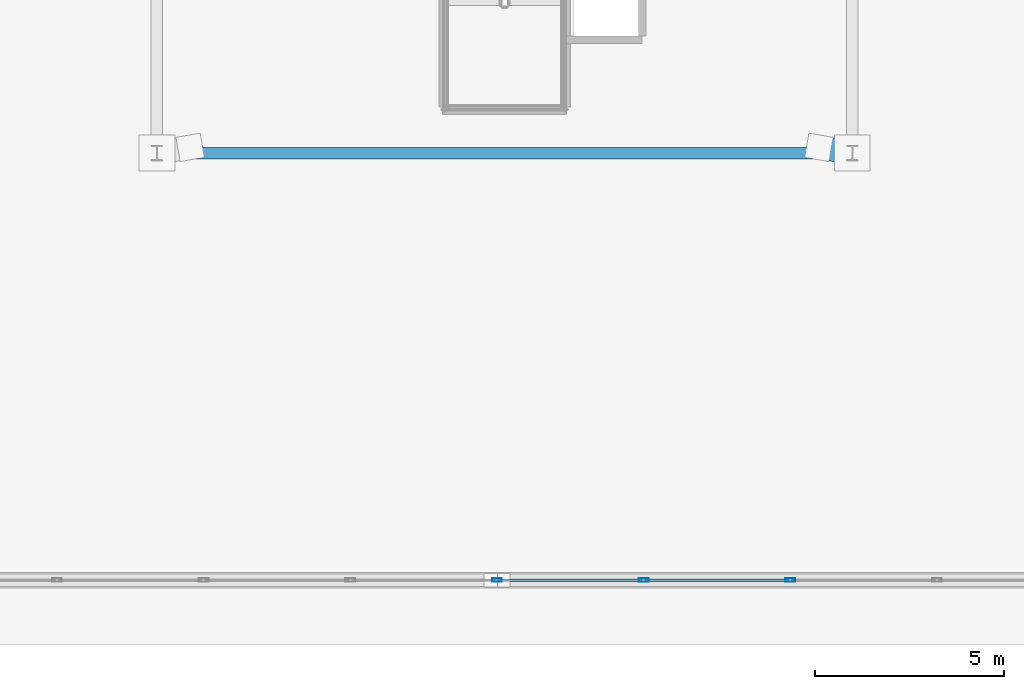
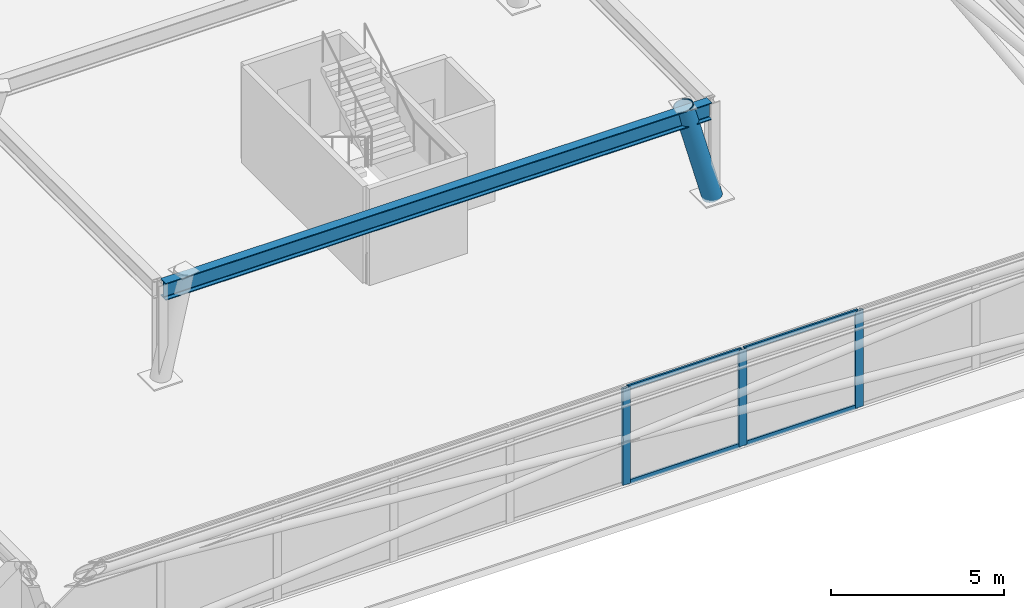
# One storey, part 8 of 23: 8 members, 1 beam, 1 element without a shape of its own.
"""IFC4 building model written with IfcOpenShell, lengths in metres."""

from ifc_helpers import new_model, si_unit, direction, frame, origin, origin_2d, place, context, subcontext, project, spatial, hollow_rectangle, hollow_circle, i_section, extrude, material, layer, layer_set, material_profile, profile_set, type_object, element, aggregate, save


model = new_model("IFC4")

# Units and contexts
model_context = context("Model", 3, precision=1e-05, world=origin(), true_north=direction((0.0, 1.0)))
body_context = subcontext(model_context, "Body", "Model", "MODEL_VIEW")
ifc_project = project(units=[si_unit("LENGTHUNIT", "METRE"), si_unit("AREAUNIT", "SQUARE_METRE"), si_unit("VOLUMEUNIT", "CUBIC_METRE"), si_unit("PLANEANGLEUNIT", "RADIAN"), si_unit("MASSUNIT", "GRAM", prefix="KILO")], contexts=[model_context])

# Site, building, storey
site_placement = place(None, origin())
site = spatial("IfcSite", under=ifc_project, at=site_placement, CompositionType="ELEMENT")
building_placement = place(site_placement, origin())
building = spatial("IfcBuilding", under=site, at=building_placement, Name="Qobustan Lattice House", CompositionType="ELEMENT")
storey_placement = place(building_placement, frame((0.0, 0.0, 270.199951171875)))
storey = spatial("IfcBuildingStorey", under=building, at=storey_placement, Name="L76", CompositionType="ELEMENT", Elevation=270.199951171875)

# Beam
ifc_material_1 = material(Name="Steel S355", Category="steel")
ifc_material_profile_1 = material_profile(ifc_material_1, i_section(OverallWidth=0.300048828125, OverallDepth=0.60009765625, WebThickness=0.015380859375, FlangeThickness=0.030029296875, FilletRadius=0.027099609375, at=origin_2d()), Name="HEB600")
ifc_profile_set_1 = profile_set([ifc_material_profile_1], Name="Steel S355")
beam_type = type_object("IfcBeamType", Name="BM-POD-HEB600", PredefinedType="USERDEFINED", material=ifc_profile_set_1)
beam_placement = place(storey_placement, frame((-9.10009765625, -5.60009765625, 3.10009765625), z_axis=(1.0, 0.0, 0.0), x_axis=(0.0, 1.0, 0.0)))
element("IfcBeam", 1, at=beam_placement, inside=storey, type_object=beam_type, Name="L76 crown support ring girder 1", ObjectType="GIRDER", PredefinedType="USERDEFINED", context=body_context, shape_type="SweptSolid", body=[
    extrude(i_section(OverallWidth=0.300048828125, OverallDepth=0.60009765625, WebThickness=0.015380859375, FlangeThickness=0.030029296875, FilletRadius=0.027099609375, at=origin_2d()), origin(), (0.0, 0.0, 1.0), 18.2001953125),
])

# Curtain wall, members
ifc_material_2 = material(Name="Anodised aluminium and low-E glazing", Category="aluminium")
ifc_layer = layer(ifc_material_2, 0.219970703125)
ifc_layer_set = layer_set([ifc_layer], Name="Anodised aluminium and low-E glazing")
curtain_wall_type = type_object("IfcCurtainWallType", Name="CW-CRN-01", PredefinedType="USERDEFINED", material=ifc_layer_set)
curtain_wall_placement = place(storey_placement, origin())
curtain_wall = element("IfcCurtainWall", 2, at=curtain_wall_placement, inside=storey, type_object=curtain_wall_type, Name="L76 glass-point crown faceted curtain wall 20", ObjectType="CURTAIN WALL", PredefinedType="USERDEFINED")
ifc_material_3 = material(Name="Anodised aluminium EN AW-6063 T6", Category="aluminium")
ifc_material_profile_2 = material_profile(ifc_material_3, hollow_rectangle(XDim=0.090087890625, YDim=0.260009765625, WallThickness=0.006103515625, at=origin_2d()), Name="CWM-CROWN-260x90")
ifc_profile_set_2 = profile_set([ifc_material_profile_2], Name="Anodised aluminium EN AW-6063 T6")
member_type_1 = type_object("IfcMemberType", Name="CWM-CRN-260", PredefinedType="MULLION", material=ifc_profile_set_2)
member_1_placement = place(storey_placement, frame((7.56005859375, -16.89990234375, 0.0), z_axis=(0.0, 0.0, 1.0), x_axis=(0.0, -1.0, 0.0)))
member_1 = element("IfcMember", 3, at=member_1_placement, type_object=member_type_1, Name="CW-CR mullion 4", PredefinedType="MULLION", context=body_context, shape_type="SweptSolid", body=[
    extrude(hollow_rectangle(XDim=0.090087890625, YDim=0.260009765625, WallThickness=0.006103515625, at=origin_2d()), origin(), (0.0, 0.0, 1.0), 3.400146484375),
])
member_2_placement = place(storey_placement, frame((3.679931640625, -16.89990234375, 0.0), z_axis=(0.0, 0.0, 1.0), x_axis=(0.0, -1.0, 0.0)))
member_2 = element("IfcMember", 4, at=member_2_placement, type_object=member_type_1, Name="CW-CR mullion 5", PredefinedType="MULLION", context=body_context, shape_type="SweptSolid", body=[
    extrude(hollow_rectangle(XDim=0.090087890625, YDim=0.260009765625, WallThickness=0.006103515625, at=origin_2d()), origin(), (0.0, 0.0, 1.0), 3.400146484375),
])
member_3_placement = place(storey_placement, frame((-0.199951171875, -16.89990234375, 0.0), z_axis=(0.0, 0.0, 1.0), x_axis=(0.0, -1.0, 0.0)))
member_3 = element("IfcMember", 5, at=member_3_placement, type_object=member_type_1, Name="CW-CR mullion 6", PredefinedType="MULLION", context=body_context, shape_type="SweptSolid", body=[
    extrude(hollow_rectangle(XDim=0.090087890625, YDim=0.260009765625, WallThickness=0.006103515625, at=origin_2d()), origin(), (0.0, 0.0, 1.0), 3.400146484375),
])
ifc_material_4 = material(Name="Anodised aluminium EN AW-6063 T6", Category="aluminium")
ifc_material_profile_3 = material_profile(ifc_material_4, hollow_rectangle(XDim=0.06494140625, YDim=0.159912109375, WallThickness=0.00390625, at=origin_2d()), Name="CWT-160x65")
ifc_profile_set_3 = profile_set([ifc_material_profile_3], Name="Anodised aluminium EN AW-6063 T6")
member_type_2 = type_object("IfcMemberType", Name="CWT-HOR-160", PredefinedType="USERDEFINED", material=ifc_profile_set_3)
member_4_placement = place(storey_placement, frame((7.514892578125, -16.89990234375, 0.032470703125), z_axis=(-1.0, 0.0, 0.0), x_axis=(0.0, -1.0, 0.0)))
member_4 = element("IfcMember", 6, at=member_4_placement, type_object=member_type_2, Name="CW-CR transom 4.1", ObjectType="TRANSOM", PredefinedType="USERDEFINED", context=body_context, shape_type="SweptSolid", body=[
    extrude(hollow_rectangle(XDim=0.06494140625, YDim=0.159912109375, WallThickness=0.00390625, at=origin_2d()), origin(), (0.0, 0.0, 1.0), 3.789794921875),
])
member_5_placement = place(storey_placement, frame((7.514892578125, -16.89990234375, 3.367431640625), z_axis=(-1.0, 0.0, 0.0), x_axis=(0.0, -1.0, 0.0)))
member_5 = element("IfcMember", 7, at=member_5_placement, type_object=member_type_2, Name="CW-CR transom 4.2", ObjectType="TRANSOM", PredefinedType="USERDEFINED", context=body_context, shape_type="SweptSolid", body=[
    extrude(hollow_rectangle(XDim=0.06494140625, YDim=0.159912109375, WallThickness=0.00390625, at=origin_2d()), origin(), (0.0, 0.0, 1.0), 3.789794921875),
])
member_6_placement = place(storey_placement, frame((3.635009765625, -16.89990234375, 0.032470703125), z_axis=(-1.0, 0.0, 0.0), x_axis=(0.0, -1.0, 0.0)))
member_6 = element("IfcMember", 8, at=member_6_placement, type_object=member_type_2, Name="CW-CR transom 5.1", ObjectType="TRANSOM", PredefinedType="USERDEFINED", context=body_context, shape_type="SweptSolid", body=[
    extrude(hollow_rectangle(XDim=0.06494140625, YDim=0.159912109375, WallThickness=0.00390625, at=origin_2d()), origin(), (0.0, 0.0, 1.0), 3.7900390625),
])
member_7_placement = place(storey_placement, frame((3.635009765625, -16.89990234375, 3.367431640625), z_axis=(-1.0, 0.0, 0.0), x_axis=(0.0, -1.0, 0.0)))
member_7 = element("IfcMember", 9, at=member_7_placement, type_object=member_type_2, Name="CW-CR transom 5.2", ObjectType="TRANSOM", PredefinedType="USERDEFINED", context=body_context, shape_type="SweptSolid", body=[
    extrude(hollow_rectangle(XDim=0.06494140625, YDim=0.159912109375, WallThickness=0.00390625, at=origin_2d()), origin(), (0.0, 0.0, 1.0), 3.7900390625),
])
aggregate(curtain_wall, [member_1, member_2, member_3, member_4, member_5, member_6, member_7])

# Member
ifc_material_5 = material(Name="Steel S355", Category="steel")
ifc_material_profile_4 = material_profile(ifc_material_5, hollow_circle(Radius=0.304931640625, WallThickness=0.02490234375, at=origin_2d()), Name="CHS610x25")
ifc_profile_set_4 = profile_set([ifc_material_profile_4], Name="Steel S355")
member_type_3 = type_object("IfcMemberType", Name="MEM-SPR-CHS610", PredefinedType="USERDEFINED", material=ifc_profile_set_4)
member_8_placement = place(storey_placement, frame((9.199951171875, -5.60009765625, 0.0), z_axis=(-0.250684416543, 0.042984391645, 0.96711409119), x_axis=(-0.169001704881, -0.985615758674, 0.0)))
element("IfcMember", 10, at=member_8_placement, inside=storey, type_object=member_type_3, Name="L76 crown spire leg SL2", ObjectType="CROWN FRAME", PredefinedType="USERDEFINED", context=body_context, shape_type="SweptSolid", body=[
    extrude(hollow_circle(Radius=0.304931640625, WallThickness=0.02490234375, at=origin_2d()), origin(), (0.0, 0.0, 1.0), 3.515869140625),
])

save(model, "model.ifc")
